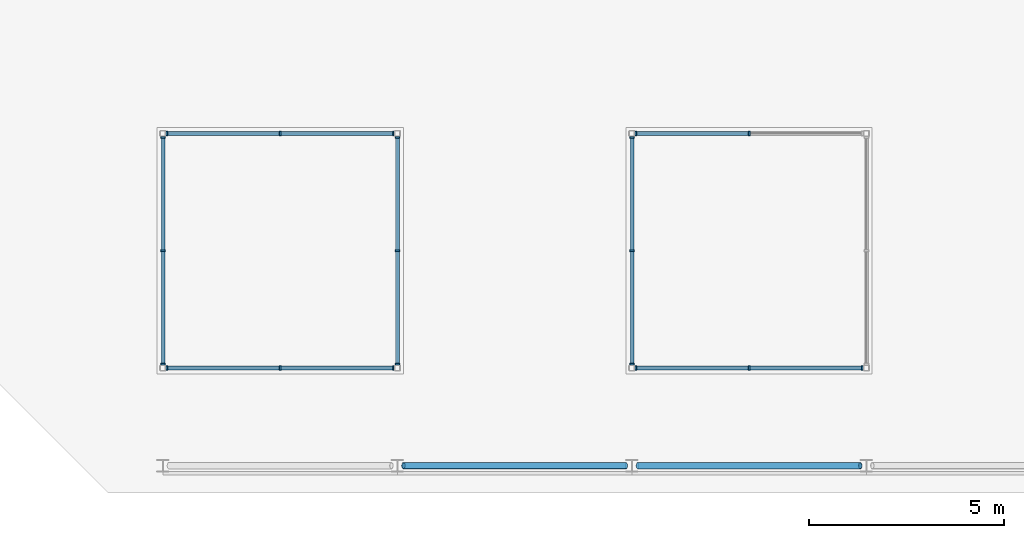
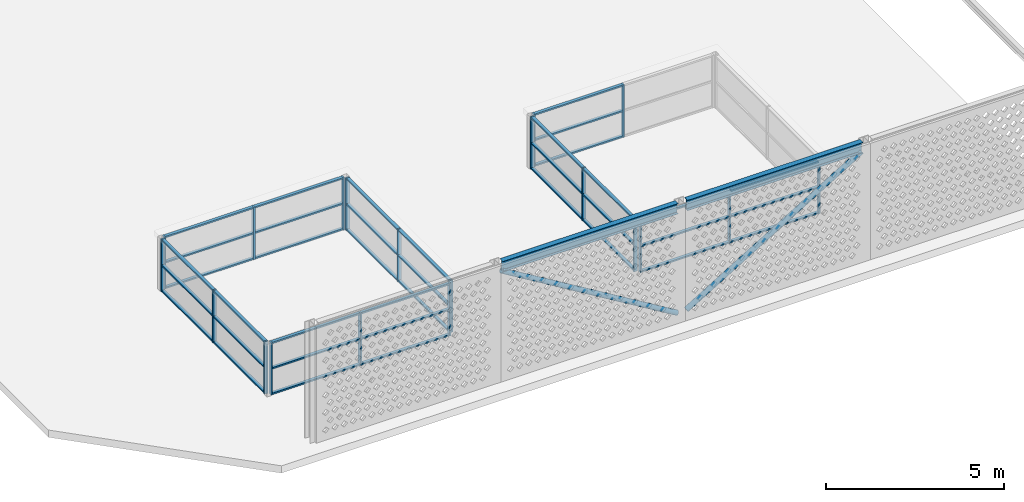
# One storey, part 5 of 10: 61 members, 2 beams, 7 elements without a shape of their own.
"""IFC4 building model written with IfcOpenShell, lengths in metres."""

from ifc_helpers import new_model, si_unit, direction, frame, origin, origin_2d, place, context, subcontext, project, spatial, rectangle, hollow_circle, i_section, extrude, source, transform, mapped, material, layer, layer_set, material_profile, profile_set, type_object, element, aggregate, save


model = new_model("IFC4")

# Units and contexts
model_context = context("Model", 3, precision=1e-05, world=origin(), true_north=direction((0.0, 1.0)))
body_context = subcontext(model_context, "Body", "Model", "MODEL_VIEW")
ifc_project = project(units=[si_unit("LENGTHUNIT", "METRE"), si_unit("AREAUNIT", "SQUARE_METRE"), si_unit("VOLUMEUNIT", "CUBIC_METRE"), si_unit("PLANEANGLEUNIT", "RADIAN"), si_unit("MASSUNIT", "GRAM", prefix="KILO")], contexts=[model_context])

# Site, building, storey
site_placement = place(None, origin())
site = spatial("IfcSite", under=ifc_project, at=site_placement, CompositionType="ELEMENT")
building_placement = place(site_placement, origin())
building = spatial("IfcBuilding", under=site, at=building_placement, Name="Poui Terraces", CompositionType="ELEMENT")
storey_placement = place(building_placement, frame((0.0, 0.0, 292.199951171875)))
storey = spatial("IfcBuildingStorey", under=building, at=storey_placement, Name="ROOF", CompositionType="ELEMENT", Elevation=292.199951171875)

# Curtain wall, members
ifc_material_1 = material(Name="Clear glass", Category="glass")
ifc_layer = layer(ifc_material_1, 0.1201171875)
ifc_layer_set = layer_set([ifc_layer], Name="Clear glass")
curtain_wall_type = type_object("IfcCurtainWallType", Name="CURTAIN WALL CW-F LANTERN GLAZING", PredefinedType="NOTDEFINED", material=ifc_layer_set)
curtain_wall_1_placement = place(storey_placement, origin())
curtain_wall_1 = element("IfcCurtainWall", 1, at=curtain_wall_1_placement, inside=storey, type_object=curtain_wall_type, Name="CW-F LANTERN GLAZING", PredefinedType="NOTDEFINED")
ifc_material_2 = material(Name="Aluminium frame", Category="aluminium")
ifc_material_profile_1 = material_profile(ifc_material_2, rectangle(XDim=0.1201171875, YDim=0.050048828125, at=origin_2d()), Name="CW-F MULLION 50X120")
ifc_profile_set_1 = profile_set([ifc_material_profile_1], Name="Aluminium frame")
member_type_1 = type_object("IfcMemberType", Name="CW-F MULLION 50X120", PredefinedType="MULLION", material=ifc_profile_set_1)
member_1_placement = place(storey_placement, frame((24.10009765625, 3.0, 0.0), z_axis=(0.0, 0.0, 1.0), x_axis=(0.0, 1.0, 0.0)))
member_1 = element("IfcMember", 2, at=member_1_placement, type_object=member_type_1, Name="CW-F mullion 1", PredefinedType="MULLION", context=body_context, shape_type="SweptSolid", body=[
    extrude(rectangle(XDim=0.1201171875, YDim=0.050048828125, at=origin_2d()), origin(), (0.0, 0.0, 1.0), 1.800048828125),
])
member_2_placement = place(storey_placement, frame((27.0, 3.0, 0.0), z_axis=(0.0, 0.0, 1.0), x_axis=(0.0, 1.0, 0.0)))
member_2 = element("IfcMember", 3, at=member_2_placement, type_object=member_type_1, Name="CW-F mullion 2", PredefinedType="MULLION", context=body_context, shape_type="SweptSolid", body=[
    extrude(rectangle(XDim=0.1201171875, YDim=0.050048828125, at=origin_2d()), origin(), (0.0, 0.0, 1.0), 1.800048828125),
])
member_3_placement = place(storey_placement, frame((29.89990234375, 3.0, 0.0), z_axis=(0.0, 0.0, 1.0), x_axis=(0.0, 1.0, 0.0)))
member_3 = element("IfcMember", 4, at=member_3_placement, type_object=member_type_1, Name="CW-F mullion 3", PredefinedType="MULLION", context=body_context, shape_type="SweptSolid", body=[
    extrude(rectangle(XDim=0.1201171875, YDim=0.050048828125, at=origin_2d()), origin(), (0.0, 0.0, 1.0), 1.800048828125),
])

curtain_wall_2_placement = place(storey_placement, origin())
curtain_wall_2 = element("IfcCurtainWall", 5, at=curtain_wall_2_placement, inside=storey, type_object=curtain_wall_type, Name="CW-F LANTERN GLAZING", PredefinedType="NOTDEFINED")
member_4_placement = place(storey_placement, frame((29.89990234375, 9.0, 0.0), z_axis=(0.0, 0.0, 1.0), x_axis=(0.0, -1.0, 0.0)))
member_4 = element("IfcMember", 6, at=member_4_placement, type_object=member_type_1, Name="CW-F mullion 1", PredefinedType="MULLION", context=body_context, shape_type="SweptSolid", body=[
    extrude(rectangle(XDim=0.1201171875, YDim=0.050048828125, at=origin_2d()), origin(), (0.0, 0.0, 1.0), 1.800048828125),
])
member_5_placement = place(storey_placement, frame((27.0, 9.0, 0.0), z_axis=(0.0, 0.0, 1.0), x_axis=(0.0, -1.0, 0.0)))
member_5 = element("IfcMember", 7, at=member_5_placement, type_object=member_type_1, Name="CW-F mullion 2", PredefinedType="MULLION", context=body_context, shape_type="SweptSolid", body=[
    extrude(rectangle(XDim=0.1201171875, YDim=0.050048828125, at=origin_2d()), origin(), (0.0, 0.0, 1.0), 1.800048828125),
])
member_6_placement = place(storey_placement, frame((24.10009765625, 9.0, 0.0), z_axis=(0.0, 0.0, 1.0), x_axis=(0.0, -1.0, 0.0)))
member_6 = element("IfcMember", 8, at=member_6_placement, type_object=member_type_1, Name="CW-F mullion 3", PredefinedType="MULLION", context=body_context, shape_type="SweptSolid", body=[
    extrude(rectangle(XDim=0.1201171875, YDim=0.050048828125, at=origin_2d()), origin(), (0.0, 0.0, 1.0), 1.800048828125),
])

curtain_wall_3_placement = place(storey_placement, origin())
curtain_wall_3 = element("IfcCurtainWall", 9, at=curtain_wall_3_placement, inside=storey, type_object=curtain_wall_type, Name="CW-F LANTERN GLAZING", PredefinedType="NOTDEFINED")
member_7_placement = place(storey_placement, frame((30.0, 3.10009765625, 0.0), z_axis=(0.0, 0.0, 1.0), x_axis=(-1.0, 0.0, 0.0)))
member_7 = element("IfcMember", 10, at=member_7_placement, type_object=member_type_1, Name="CW-F mullion 1", PredefinedType="MULLION", context=body_context, shape_type="SweptSolid", body=[
    extrude(rectangle(XDim=0.1201171875, YDim=0.050048828125, at=origin_2d()), origin(), (0.0, 0.0, 1.0), 1.800048828125),
])
member_8_placement = place(storey_placement, frame((30.0, 6.0, 0.0), z_axis=(0.0, 0.0, 1.0), x_axis=(-1.0, 0.0, 0.0)))
member_8 = element("IfcMember", 11, at=member_8_placement, type_object=member_type_1, Name="CW-F mullion 2", PredefinedType="MULLION", context=body_context, shape_type="SweptSolid", body=[
    extrude(rectangle(XDim=0.1201171875, YDim=0.050048828125, at=origin_2d()), origin(), (0.0, 0.0, 1.0), 1.800048828125),
])
member_9_placement = place(storey_placement, frame((30.0, 8.89990234375, 0.0), z_axis=(0.0, 0.0, 1.0), x_axis=(-1.0, 0.0, 0.0)))
member_9 = element("IfcMember", 12, at=member_9_placement, type_object=member_type_1, Name="CW-F mullion 3", PredefinedType="MULLION", context=body_context, shape_type="SweptSolid", body=[
    extrude(rectangle(XDim=0.1201171875, YDim=0.050048828125, at=origin_2d()), origin(), (0.0, 0.0, 1.0), 1.800048828125),
])

curtain_wall_4_placement = place(storey_placement, origin())
curtain_wall_4 = element("IfcCurtainWall", 13, at=curtain_wall_4_placement, inside=storey, type_object=curtain_wall_type, Name="CW-F LANTERN GLAZING", PredefinedType="NOTDEFINED")
member_10_placement = place(storey_placement, frame((24.0, 8.89990234375, 0.0), z_axis=(0.0, 0.0, 1.0), x_axis=(1.0, 0.0, 0.0)))
member_10 = element("IfcMember", 14, at=member_10_placement, type_object=member_type_1, Name="CW-F mullion 1", PredefinedType="MULLION", context=body_context, shape_type="SweptSolid", body=[
    extrude(rectangle(XDim=0.1201171875, YDim=0.050048828125, at=origin_2d()), origin(), (0.0, 0.0, 1.0), 1.800048828125),
])
member_11_placement = place(storey_placement, frame((24.0, 6.0, 0.0), z_axis=(0.0, 0.0, 1.0), x_axis=(1.0, 0.0, 0.0)))
member_11 = element("IfcMember", 15, at=member_11_placement, type_object=member_type_1, Name="CW-F mullion 2", PredefinedType="MULLION", context=body_context, shape_type="SweptSolid", body=[
    extrude(rectangle(XDim=0.1201171875, YDim=0.050048828125, at=origin_2d()), origin(), (0.0, 0.0, 1.0), 1.800048828125),
])
member_12_placement = place(storey_placement, frame((24.0, 3.10009765625, 0.0), z_axis=(0.0, 0.0, 1.0), x_axis=(1.0, 0.0, 0.0)))
member_12 = element("IfcMember", 16, at=member_12_placement, type_object=member_type_1, Name="CW-F mullion 3", PredefinedType="MULLION", context=body_context, shape_type="SweptSolid", body=[
    extrude(rectangle(XDim=0.1201171875, YDim=0.050048828125, at=origin_2d()), origin(), (0.0, 0.0, 1.0), 1.800048828125),
])

curtain_wall_5_placement = place(storey_placement, origin())
curtain_wall_5 = element("IfcCurtainWall", 17, at=curtain_wall_5_placement, inside=storey, type_object=curtain_wall_type, Name="CW-F LANTERN GLAZING", PredefinedType="NOTDEFINED")
member_13_placement = place(storey_placement, frame((36.10009765625, 3.0, 0.0), z_axis=(0.0, 0.0, 1.0), x_axis=(0.0, 1.0, 0.0)))
member_13 = element("IfcMember", 18, at=member_13_placement, type_object=member_type_1, Name="CW-F mullion 1", PredefinedType="MULLION", context=body_context, shape_type="SweptSolid", body=[
    extrude(rectangle(XDim=0.1201171875, YDim=0.050048828125, at=origin_2d()), origin(), (0.0, 0.0, 1.0), 1.800048828125),
])
member_14_placement = place(storey_placement, frame((39.0, 3.0, 0.0), z_axis=(0.0, 0.0, 1.0), x_axis=(0.0, 1.0, 0.0)))
member_14 = element("IfcMember", 19, at=member_14_placement, type_object=member_type_1, Name="CW-F mullion 2", PredefinedType="MULLION", context=body_context, shape_type="SweptSolid", body=[
    extrude(rectangle(XDim=0.1201171875, YDim=0.050048828125, at=origin_2d()), origin(), (0.0, 0.0, 1.0), 1.800048828125),
])
member_15_placement = place(storey_placement, frame((41.89990234375, 3.0, 0.0), z_axis=(0.0, 0.0, 1.0), x_axis=(0.0, 1.0, 0.0)))
member_15 = element("IfcMember", 20, at=member_15_placement, type_object=member_type_1, Name="CW-F mullion 3", PredefinedType="MULLION", context=body_context, shape_type="SweptSolid", body=[
    extrude(rectangle(XDim=0.1201171875, YDim=0.050048828125, at=origin_2d()), origin(), (0.0, 0.0, 1.0), 1.800048828125),
])

curtain_wall_6_placement = place(storey_placement, origin())
curtain_wall_6 = element("IfcCurtainWall", 21, at=curtain_wall_6_placement, inside=storey, type_object=curtain_wall_type, Name="CW-F LANTERN GLAZING", PredefinedType="NOTDEFINED")
member_16_placement = place(storey_placement, frame((39.0, 9.0, 0.0), z_axis=(0.0, 0.0, 1.0), x_axis=(0.0, -1.0, 0.0)))
member_16 = element("IfcMember", 22, at=member_16_placement, type_object=member_type_1, Name="CW-F mullion 2", PredefinedType="MULLION", context=body_context, shape_type="SweptSolid", body=[
    extrude(rectangle(XDim=0.1201171875, YDim=0.050048828125, at=origin_2d()), origin(), (0.0, 0.0, 1.0), 1.800048828125),
])
member_17_placement = place(storey_placement, frame((36.10009765625, 9.0, 0.0), z_axis=(0.0, 0.0, 1.0), x_axis=(0.0, -1.0, 0.0)))
member_17 = element("IfcMember", 23, at=member_17_placement, type_object=member_type_1, Name="CW-F mullion 3", PredefinedType="MULLION", context=body_context, shape_type="SweptSolid", body=[
    extrude(rectangle(XDim=0.1201171875, YDim=0.050048828125, at=origin_2d()), origin(), (0.0, 0.0, 1.0), 1.800048828125),
])

curtain_wall_7_placement = place(storey_placement, origin())
curtain_wall_7 = element("IfcCurtainWall", 24, at=curtain_wall_7_placement, inside=storey, type_object=curtain_wall_type, Name="CW-F LANTERN GLAZING", PredefinedType="NOTDEFINED")
member_18_placement = place(storey_placement, frame((36.0, 8.89990234375, 0.0), z_axis=(0.0, 0.0, 1.0), x_axis=(1.0, 0.0, 0.0)))
member_18 = element("IfcMember", 25, at=member_18_placement, type_object=member_type_1, Name="CW-F mullion 1", PredefinedType="MULLION", context=body_context, shape_type="SweptSolid", body=[
    extrude(rectangle(XDim=0.1201171875, YDim=0.050048828125, at=origin_2d()), origin(), (0.0, 0.0, 1.0), 1.800048828125),
])
member_19_placement = place(storey_placement, frame((36.0, 6.0, 0.0), z_axis=(0.0, 0.0, 1.0), x_axis=(1.0, 0.0, 0.0)))
member_19 = element("IfcMember", 26, at=member_19_placement, type_object=member_type_1, Name="CW-F mullion 2", PredefinedType="MULLION", context=body_context, shape_type="SweptSolid", body=[
    extrude(rectangle(XDim=0.1201171875, YDim=0.050048828125, at=origin_2d()), origin(), (0.0, 0.0, 1.0), 1.800048828125),
])
member_20_placement = place(storey_placement, frame((36.0, 3.10009765625, 0.0), z_axis=(0.0, 0.0, 1.0), x_axis=(1.0, 0.0, 0.0)))
member_20 = element("IfcMember", 27, at=member_20_placement, type_object=member_type_1, Name="CW-F mullion 3", PredefinedType="MULLION", context=body_context, shape_type="SweptSolid", body=[
    extrude(rectangle(XDim=0.1201171875, YDim=0.050048828125, at=origin_2d()), origin(), (0.0, 0.0, 1.0), 1.800048828125),
])

# Member
ifc_material_profile_2 = material_profile(ifc_material_2, rectangle(XDim=0.10009765625, YDim=0.050048828125, at=origin_2d()), Name="CW-F TRANSOM 50X100")
ifc_profile_set_2 = profile_set([ifc_material_profile_2], Name="Aluminium frame")
member_type_2 = type_object("IfcMemberType", Name="CW-F TRANSOM 50X100", PredefinedType="USERDEFINED", material=ifc_profile_set_2)
member_21_placement = place(storey_placement, frame((24.125, 3.0, 0.025146484375), z_axis=(1.0, 0.0, 0.0), x_axis=(0.0, 1.0, 0.0)))
member_21 = element("IfcMember", 28, at=member_21_placement, type_object=member_type_2, Name="CW-F transom 1.1", ObjectType="TRANSOM", PredefinedType="USERDEFINED", context=body_context, shape_type="SweptSolid", body=[
    extrude(rectangle(XDim=0.10009765625, YDim=0.050048828125, at=origin_2d()), origin(), (0.0, 0.0, 1.0), 2.85009765625),
])

member_22_placement = place(storey_placement, frame((24.125, 3.0, 0.900146484375), z_axis=(1.0, 0.0, 0.0), x_axis=(0.0, 1.0, 0.0)))
member_22 = element("IfcMember", 29, at=member_22_placement, type_object=member_type_2, Name="CW-F transom 1.2", ObjectType="TRANSOM", PredefinedType="USERDEFINED", context=body_context, shape_type="SweptSolid", body=[
    extrude(rectangle(XDim=0.10009765625, YDim=0.050048828125, at=origin_2d()), origin(), (0.0, 0.0, 1.0), 2.85009765625),
])

member_23_placement = place(storey_placement, frame((24.125, 3.0, 1.775146484375), z_axis=(1.0, 0.0, 0.0), x_axis=(0.0, 1.0, 0.0)))
member_23 = element("IfcMember", 30, at=member_23_placement, type_object=member_type_2, Name="CW-F transom 1.3", ObjectType="TRANSOM", PredefinedType="USERDEFINED", context=body_context, shape_type="SweptSolid", body=[
    extrude(rectangle(XDim=0.10009765625, YDim=0.050048828125, at=origin_2d()), origin(), (0.0, 0.0, 1.0), 2.85009765625),
])

member_24_placement = place(storey_placement, frame((27.02490234375, 3.0, 0.025146484375), z_axis=(1.0, 0.0, 0.0), x_axis=(0.0, 1.0, 0.0)))
member_24 = element("IfcMember", 31, at=member_24_placement, type_object=member_type_2, Name="CW-F transom 2.1", ObjectType="TRANSOM", PredefinedType="USERDEFINED", context=body_context, shape_type="SweptSolid", body=[
    extrude(rectangle(XDim=0.10009765625, YDim=0.050048828125, at=origin_2d()), origin(), (0.0, 0.0, 1.0), 2.85009765625),
])

member_25_placement = place(storey_placement, frame((27.02490234375, 3.0, 0.900146484375), z_axis=(1.0, 0.0, 0.0), x_axis=(0.0, 1.0, 0.0)))
member_25 = element("IfcMember", 32, at=member_25_placement, type_object=member_type_2, Name="CW-F transom 2.2", ObjectType="TRANSOM", PredefinedType="USERDEFINED", context=body_context, shape_type="SweptSolid", body=[
    extrude(rectangle(XDim=0.10009765625, YDim=0.050048828125, at=origin_2d()), origin(), (0.0, 0.0, 1.0), 2.85009765625),
])

member_26_placement = place(storey_placement, frame((27.02490234375, 3.0, 1.775146484375), z_axis=(1.0, 0.0, 0.0), x_axis=(0.0, 1.0, 0.0)))
member_26 = element("IfcMember", 33, at=member_26_placement, type_object=member_type_2, Name="CW-F transom 2.3", ObjectType="TRANSOM", PredefinedType="USERDEFINED", context=body_context, shape_type="SweptSolid", body=[
    extrude(rectangle(XDim=0.10009765625, YDim=0.050048828125, at=origin_2d()), origin(), (0.0, 0.0, 1.0), 2.85009765625),
])

aggregate(curtain_wall_1, [member_1, member_2, member_3, member_21, member_22, member_23, member_24, member_25, member_26])

member_27_placement = place(storey_placement, frame((29.875, 9.0, 0.025146484375), z_axis=(-1.0, 0.0, 0.0), x_axis=(0.0, -1.0, 0.0)))
member_27 = element("IfcMember", 34, at=member_27_placement, type_object=member_type_2, Name="CW-F transom 1.1", ObjectType="TRANSOM", PredefinedType="USERDEFINED", context=body_context, shape_type="SweptSolid", body=[
    extrude(rectangle(XDim=0.10009765625, YDim=0.050048828125, at=origin_2d()), origin(), (0.0, 0.0, 1.0), 2.85009765625),
])

member_28_placement = place(storey_placement, frame((29.875, 9.0, 0.900146484375), z_axis=(-1.0, 0.0, 0.0), x_axis=(0.0, -1.0, 0.0)))
member_28 = element("IfcMember", 35, at=member_28_placement, type_object=member_type_2, Name="CW-F transom 1.2", ObjectType="TRANSOM", PredefinedType="USERDEFINED", context=body_context, shape_type="SweptSolid", body=[
    extrude(rectangle(XDim=0.10009765625, YDim=0.050048828125, at=origin_2d()), origin(), (0.0, 0.0, 1.0), 2.85009765625),
])

member_29_placement = place(storey_placement, frame((29.875, 9.0, 1.775146484375), z_axis=(-1.0, 0.0, 0.0), x_axis=(0.0, -1.0, 0.0)))
member_29 = element("IfcMember", 36, at=member_29_placement, type_object=member_type_2, Name="CW-F transom 1.3", ObjectType="TRANSOM", PredefinedType="USERDEFINED", context=body_context, shape_type="SweptSolid", body=[
    extrude(rectangle(XDim=0.10009765625, YDim=0.050048828125, at=origin_2d()), origin(), (0.0, 0.0, 1.0), 2.85009765625),
])

member_30_placement = place(storey_placement, frame((26.97509765625, 9.0, 0.025146484375), z_axis=(-1.0, 0.0, 0.0), x_axis=(0.0, -1.0, 0.0)))
member_30 = element("IfcMember", 37, at=member_30_placement, type_object=member_type_2, Name="CW-F transom 2.1", ObjectType="TRANSOM", PredefinedType="USERDEFINED", context=body_context, shape_type="SweptSolid", body=[
    extrude(rectangle(XDim=0.10009765625, YDim=0.050048828125, at=origin_2d()), origin(), (0.0, 0.0, 1.0), 2.85009765625),
])

member_31_placement = place(storey_placement, frame((26.97509765625, 9.0, 0.900146484375), z_axis=(-1.0, 0.0, 0.0), x_axis=(0.0, -1.0, 0.0)))
member_31 = element("IfcMember", 38, at=member_31_placement, type_object=member_type_2, Name="CW-F transom 2.2", ObjectType="TRANSOM", PredefinedType="USERDEFINED", context=body_context, shape_type="SweptSolid", body=[
    extrude(rectangle(XDim=0.10009765625, YDim=0.050048828125, at=origin_2d()), origin(), (0.0, 0.0, 1.0), 2.85009765625),
])

member_32_placement = place(storey_placement, frame((26.97509765625, 9.0, 1.775146484375), z_axis=(-1.0, 0.0, 0.0), x_axis=(0.0, -1.0, 0.0)))
member_32 = element("IfcMember", 39, at=member_32_placement, type_object=member_type_2, Name="CW-F transom 2.3", ObjectType="TRANSOM", PredefinedType="USERDEFINED", context=body_context, shape_type="SweptSolid", body=[
    extrude(rectangle(XDim=0.10009765625, YDim=0.050048828125, at=origin_2d()), origin(), (0.0, 0.0, 1.0), 2.85009765625),
])

aggregate(curtain_wall_2, [member_4, member_5, member_6, member_27, member_28, member_29, member_30, member_31, member_32])

member_33_placement = place(storey_placement, frame((30.0, 3.125, 0.025146484375), z_axis=(0.0, 1.0, 0.0), x_axis=(-1.0, 0.0, 0.0)))
member_33 = element("IfcMember", 40, at=member_33_placement, type_object=member_type_2, Name="CW-F transom 1.1", ObjectType="TRANSOM", PredefinedType="USERDEFINED", context=body_context, shape_type="SweptSolid", body=[
    extrude(rectangle(XDim=0.10009765625, YDim=0.050048828125, at=origin_2d()), origin(), (0.0, 0.0, 1.0), 2.85009765625),
])

member_34_placement = place(storey_placement, frame((30.0, 3.125, 0.900146484375), z_axis=(0.0, 1.0, 0.0), x_axis=(-1.0, 0.0, 0.0)))
member_34 = element("IfcMember", 41, at=member_34_placement, type_object=member_type_2, Name="CW-F transom 1.2", ObjectType="TRANSOM", PredefinedType="USERDEFINED", context=body_context, shape_type="SweptSolid", body=[
    extrude(rectangle(XDim=0.10009765625, YDim=0.050048828125, at=origin_2d()), origin(), (0.0, 0.0, 1.0), 2.85009765625),
])

member_35_placement = place(storey_placement, frame((30.0, 3.125, 1.775146484375), z_axis=(0.0, 1.0, 0.0), x_axis=(-1.0, 0.0, 0.0)))
member_35 = element("IfcMember", 42, at=member_35_placement, type_object=member_type_2, Name="CW-F transom 1.3", ObjectType="TRANSOM", PredefinedType="USERDEFINED", context=body_context, shape_type="SweptSolid", body=[
    extrude(rectangle(XDim=0.10009765625, YDim=0.050048828125, at=origin_2d()), origin(), (0.0, 0.0, 1.0), 2.85009765625),
])

member_36_placement = place(storey_placement, frame((30.0, 6.02490234375, 0.025146484375), z_axis=(0.0, 1.0, 0.0), x_axis=(-1.0, 0.0, 0.0)))
member_36 = element("IfcMember", 43, at=member_36_placement, type_object=member_type_2, Name="CW-F transom 2.1", ObjectType="TRANSOM", PredefinedType="USERDEFINED", context=body_context, shape_type="SweptSolid", body=[
    extrude(rectangle(XDim=0.10009765625, YDim=0.050048828125, at=origin_2d()), origin(), (0.0, 0.0, 1.0), 2.85009765625),
])

member_37_placement = place(storey_placement, frame((30.0, 6.02490234375, 0.900146484375), z_axis=(0.0, 1.0, 0.0), x_axis=(-1.0, 0.0, 0.0)))
member_37 = element("IfcMember", 44, at=member_37_placement, type_object=member_type_2, Name="CW-F transom 2.2", ObjectType="TRANSOM", PredefinedType="USERDEFINED", context=body_context, shape_type="SweptSolid", body=[
    extrude(rectangle(XDim=0.10009765625, YDim=0.050048828125, at=origin_2d()), origin(), (0.0, 0.0, 1.0), 2.85009765625),
])

member_38_placement = place(storey_placement, frame((30.0, 6.02490234375, 1.775146484375), z_axis=(0.0, 1.0, 0.0), x_axis=(-1.0, 0.0, 0.0)))
member_38 = element("IfcMember", 45, at=member_38_placement, type_object=member_type_2, Name="CW-F transom 2.3", ObjectType="TRANSOM", PredefinedType="USERDEFINED", context=body_context, shape_type="SweptSolid", body=[
    extrude(rectangle(XDim=0.10009765625, YDim=0.050048828125, at=origin_2d()), origin(), (0.0, 0.0, 1.0), 2.85009765625),
])

aggregate(curtain_wall_3, [member_7, member_8, member_9, member_33, member_34, member_35, member_36, member_37, member_38])

member_39_placement = place(storey_placement, frame((24.0, 8.875, 0.025146484375), z_axis=(0.0, -1.0, 0.0), x_axis=(1.0, 0.0, 0.0)))
member_39 = element("IfcMember", 46, at=member_39_placement, type_object=member_type_2, Name="CW-F transom 1.1", ObjectType="TRANSOM", PredefinedType="USERDEFINED", context=body_context, shape_type="SweptSolid", body=[
    extrude(rectangle(XDim=0.10009765625, YDim=0.050048828125, at=origin_2d()), origin(), (0.0, 0.0, 1.0), 2.85009765625),
])

member_40_placement = place(storey_placement, frame((24.0, 8.875, 0.900146484375), z_axis=(0.0, -1.0, 0.0), x_axis=(1.0, 0.0, 0.0)))
member_40 = element("IfcMember", 47, at=member_40_placement, type_object=member_type_2, Name="CW-F transom 1.2", ObjectType="TRANSOM", PredefinedType="USERDEFINED", context=body_context, shape_type="SweptSolid", body=[
    extrude(rectangle(XDim=0.10009765625, YDim=0.050048828125, at=origin_2d()), origin(), (0.0, 0.0, 1.0), 2.85009765625),
])

member_41_placement = place(storey_placement, frame((24.0, 8.875, 1.775146484375), z_axis=(0.0, -1.0, 0.0), x_axis=(1.0, 0.0, 0.0)))
member_41 = element("IfcMember", 48, at=member_41_placement, type_object=member_type_2, Name="CW-F transom 1.3", ObjectType="TRANSOM", PredefinedType="USERDEFINED", context=body_context, shape_type="SweptSolid", body=[
    extrude(rectangle(XDim=0.10009765625, YDim=0.050048828125, at=origin_2d()), origin(), (0.0, 0.0, 1.0), 2.85009765625),
])

member_42_placement = place(storey_placement, frame((24.0, 5.97509765625, 0.025146484375), z_axis=(0.0, -1.0, 0.0), x_axis=(1.0, 0.0, 0.0)))
member_42 = element("IfcMember", 49, at=member_42_placement, type_object=member_type_2, Name="CW-F transom 2.1", ObjectType="TRANSOM", PredefinedType="USERDEFINED", context=body_context, shape_type="SweptSolid", body=[
    extrude(rectangle(XDim=0.10009765625, YDim=0.050048828125, at=origin_2d()), origin(), (0.0, 0.0, 1.0), 2.85009765625),
])

member_43_placement = place(storey_placement, frame((24.0, 5.97509765625, 0.900146484375), z_axis=(0.0, -1.0, 0.0), x_axis=(1.0, 0.0, 0.0)))
member_43 = element("IfcMember", 50, at=member_43_placement, type_object=member_type_2, Name="CW-F transom 2.2", ObjectType="TRANSOM", PredefinedType="USERDEFINED", context=body_context, shape_type="SweptSolid", body=[
    extrude(rectangle(XDim=0.10009765625, YDim=0.050048828125, at=origin_2d()), origin(), (0.0, 0.0, 1.0), 2.85009765625),
])

member_44_placement = place(storey_placement, frame((24.0, 5.97509765625, 1.775146484375), z_axis=(0.0, -1.0, 0.0), x_axis=(1.0, 0.0, 0.0)))
member_44 = element("IfcMember", 51, at=member_44_placement, type_object=member_type_2, Name="CW-F transom 2.3", ObjectType="TRANSOM", PredefinedType="USERDEFINED", context=body_context, shape_type="SweptSolid", body=[
    extrude(rectangle(XDim=0.10009765625, YDim=0.050048828125, at=origin_2d()), origin(), (0.0, 0.0, 1.0), 2.85009765625),
])

aggregate(curtain_wall_4, [member_10, member_11, member_12, member_39, member_40, member_41, member_42, member_43, member_44])

member_45_placement = place(storey_placement, frame((36.125, 3.0, 0.025146484375), z_axis=(1.0, 0.0, 0.0), x_axis=(0.0, 1.0, 0.0)))
member_45 = element("IfcMember", 52, at=member_45_placement, type_object=member_type_2, Name="CW-F transom 1.1", ObjectType="TRANSOM", PredefinedType="USERDEFINED", context=body_context, shape_type="SweptSolid", body=[
    extrude(rectangle(XDim=0.10009765625, YDim=0.050048828125, at=origin_2d()), origin(), (0.0, 0.0, 1.0), 2.85009765625),
])

member_46_placement = place(storey_placement, frame((36.125, 3.0, 0.900146484375), z_axis=(1.0, 0.0, 0.0), x_axis=(0.0, 1.0, 0.0)))
member_46 = element("IfcMember", 53, at=member_46_placement, type_object=member_type_2, Name="CW-F transom 1.2", ObjectType="TRANSOM", PredefinedType="USERDEFINED", context=body_context, shape_type="SweptSolid", body=[
    extrude(rectangle(XDim=0.10009765625, YDim=0.050048828125, at=origin_2d()), origin(), (0.0, 0.0, 1.0), 2.85009765625),
])

member_47_placement = place(storey_placement, frame((36.125, 3.0, 1.775146484375), z_axis=(1.0, 0.0, 0.0), x_axis=(0.0, 1.0, 0.0)))
member_47 = element("IfcMember", 54, at=member_47_placement, type_object=member_type_2, Name="CW-F transom 1.3", ObjectType="TRANSOM", PredefinedType="USERDEFINED", context=body_context, shape_type="SweptSolid", body=[
    extrude(rectangle(XDim=0.10009765625, YDim=0.050048828125, at=origin_2d()), origin(), (0.0, 0.0, 1.0), 2.85009765625),
])

member_48_placement = place(storey_placement, frame((39.02490234375, 3.0, 0.025146484375), z_axis=(1.0, 0.0, 0.0), x_axis=(0.0, 1.0, 0.0)))
member_48 = element("IfcMember", 55, at=member_48_placement, type_object=member_type_2, Name="CW-F transom 2.1", ObjectType="TRANSOM", PredefinedType="USERDEFINED", context=body_context, shape_type="SweptSolid", body=[
    extrude(rectangle(XDim=0.10009765625, YDim=0.050048828125, at=origin_2d()), origin(), (0.0, 0.0, 1.0), 2.85009765625),
])

member_49_placement = place(storey_placement, frame((39.02490234375, 3.0, 0.900146484375), z_axis=(1.0, 0.0, 0.0), x_axis=(0.0, 1.0, 0.0)))
member_49 = element("IfcMember", 56, at=member_49_placement, type_object=member_type_2, Name="CW-F transom 2.2", ObjectType="TRANSOM", PredefinedType="USERDEFINED", context=body_context, shape_type="SweptSolid", body=[
    extrude(rectangle(XDim=0.10009765625, YDim=0.050048828125, at=origin_2d()), origin(), (0.0, 0.0, 1.0), 2.85009765625),
])

member_50_placement = place(storey_placement, frame((39.02490234375, 3.0, 1.775146484375), z_axis=(1.0, 0.0, 0.0), x_axis=(0.0, 1.0, 0.0)))
member_50 = element("IfcMember", 57, at=member_50_placement, type_object=member_type_2, Name="CW-F transom 2.3", ObjectType="TRANSOM", PredefinedType="USERDEFINED", context=body_context, shape_type="SweptSolid", body=[
    extrude(rectangle(XDim=0.10009765625, YDim=0.050048828125, at=origin_2d()), origin(), (0.0, 0.0, 1.0), 2.85009765625),
])

aggregate(curtain_wall_5, [member_13, member_14, member_15, member_45, member_46, member_47, member_48, member_49, member_50])

member_51_placement = place(storey_placement, frame((38.97509765625, 9.0, 0.025146484375), z_axis=(-1.0, 0.0, 0.0), x_axis=(0.0, -1.0, 0.0)))
member_51 = element("IfcMember", 58, at=member_51_placement, type_object=member_type_2, Name="CW-F transom 2.1", ObjectType="TRANSOM", PredefinedType="USERDEFINED", context=body_context, shape_type="SweptSolid", body=[
    extrude(rectangle(XDim=0.10009765625, YDim=0.050048828125, at=origin_2d()), origin(), (0.0, 0.0, 1.0), 2.85009765625),
])

member_52_placement = place(storey_placement, frame((38.97509765625, 9.0, 0.900146484375), z_axis=(-1.0, 0.0, 0.0), x_axis=(0.0, -1.0, 0.0)))
member_52 = element("IfcMember", 59, at=member_52_placement, type_object=member_type_2, Name="CW-F transom 2.2", ObjectType="TRANSOM", PredefinedType="USERDEFINED", context=body_context, shape_type="SweptSolid", body=[
    extrude(rectangle(XDim=0.10009765625, YDim=0.050048828125, at=origin_2d()), origin(), (0.0, 0.0, 1.0), 2.85009765625),
])

member_53_placement = place(storey_placement, frame((38.97509765625, 9.0, 1.775146484375), z_axis=(-1.0, 0.0, 0.0), x_axis=(0.0, -1.0, 0.0)))
member_53 = element("IfcMember", 60, at=member_53_placement, type_object=member_type_2, Name="CW-F transom 2.3", ObjectType="TRANSOM", PredefinedType="USERDEFINED", context=body_context, shape_type="SweptSolid", body=[
    extrude(rectangle(XDim=0.10009765625, YDim=0.050048828125, at=origin_2d()), origin(), (0.0, 0.0, 1.0), 2.85009765625),
])

aggregate(curtain_wall_6, [member_16, member_17, member_51, member_52, member_53])

member_54_placement = place(storey_placement, frame((36.0, 8.875, 0.025146484375), z_axis=(0.0, -1.0, 0.0), x_axis=(1.0, 0.0, 0.0)))
member_54 = element("IfcMember", 61, at=member_54_placement, type_object=member_type_2, Name="CW-F transom 1.1", ObjectType="TRANSOM", PredefinedType="USERDEFINED", context=body_context, shape_type="SweptSolid", body=[
    extrude(rectangle(XDim=0.10009765625, YDim=0.050048828125, at=origin_2d()), origin(), (0.0, 0.0, 1.0), 2.85009765625),
])

member_55_placement = place(storey_placement, frame((36.0, 8.875, 0.900146484375), z_axis=(0.0, -1.0, 0.0), x_axis=(1.0, 0.0, 0.0)))
member_55 = element("IfcMember", 62, at=member_55_placement, type_object=member_type_2, Name="CW-F transom 1.2", ObjectType="TRANSOM", PredefinedType="USERDEFINED", context=body_context, shape_type="SweptSolid", body=[
    extrude(rectangle(XDim=0.10009765625, YDim=0.050048828125, at=origin_2d()), origin(), (0.0, 0.0, 1.0), 2.85009765625),
])

member_56_placement = place(storey_placement, frame((36.0, 8.875, 1.775146484375), z_axis=(0.0, -1.0, 0.0), x_axis=(1.0, 0.0, 0.0)))
member_56 = element("IfcMember", 63, at=member_56_placement, type_object=member_type_2, Name="CW-F transom 1.3", ObjectType="TRANSOM", PredefinedType="USERDEFINED", context=body_context, shape_type="SweptSolid", body=[
    extrude(rectangle(XDim=0.10009765625, YDim=0.050048828125, at=origin_2d()), origin(), (0.0, 0.0, 1.0), 2.85009765625),
])

member_57_placement = place(storey_placement, frame((36.0, 5.97509765625, 0.025146484375), z_axis=(0.0, -1.0, 0.0), x_axis=(1.0, 0.0, 0.0)))
member_57 = element("IfcMember", 64, at=member_57_placement, type_object=member_type_2, Name="CW-F transom 2.1", ObjectType="TRANSOM", PredefinedType="USERDEFINED", context=body_context, shape_type="SweptSolid", body=[
    extrude(rectangle(XDim=0.10009765625, YDim=0.050048828125, at=origin_2d()), origin(), (0.0, 0.0, 1.0), 2.85009765625),
])

member_58_placement = place(storey_placement, frame((36.0, 5.97509765625, 0.900146484375), z_axis=(0.0, -1.0, 0.0), x_axis=(1.0, 0.0, 0.0)))
member_58 = element("IfcMember", 65, at=member_58_placement, type_object=member_type_2, Name="CW-F transom 2.2", ObjectType="TRANSOM", PredefinedType="USERDEFINED", context=body_context, shape_type="SweptSolid", body=[
    extrude(rectangle(XDim=0.10009765625, YDim=0.050048828125, at=origin_2d()), origin(), (0.0, 0.0, 1.0), 2.85009765625),
])

member_59_placement = place(storey_placement, frame((36.0, 5.97509765625, 1.775146484375), z_axis=(0.0, -1.0, 0.0), x_axis=(1.0, 0.0, 0.0)))
member_59 = element("IfcMember", 66, at=member_59_placement, type_object=member_type_2, Name="CW-F transom 2.3", ObjectType="TRANSOM", PredefinedType="USERDEFINED", context=body_context, shape_type="SweptSolid", body=[
    extrude(rectangle(XDim=0.10009765625, YDim=0.050048828125, at=origin_2d()), origin(), (0.0, 0.0, 1.0), 2.85009765625),
])

aggregate(curtain_wall_7, [member_18, member_19, member_20, member_54, member_55, member_56, member_57, member_58, member_59])

# Members
ifc_material_3 = material(Name="Steel Grade 350 MPa", Category="steel")
ifc_material_profile_3 = material_profile(ifc_material_3, hollow_circle(Radius=0.084228515625, WallThickness=0.007080078125, at=origin_2d()), Name="168.3x7.1 CHS")
ifc_profile_set_3 = profile_set([ifc_material_profile_3], Name="Steel Grade 350 MPa")
member_type_3 = type_object("IfcMemberType", Name="SCREEN FRAME BRACE 168.3x7.1 CHS", PredefinedType="BRACE", material=ifc_profile_set_3)
for number, where, z_axis, x_axis, name in (
    (67, (35.846435546875, 0.5, 0.199951171875), (-0.855784886129, 0.0, 0.51733183613), (0.0, -1.0, 0.0), "SCREEN FRAME BRACE S2"),
    (68, (36.153564453125, 0.5, 0.199951171875), (0.855784886129, 0.0, 0.51733183613), (0.0, 1.0, 0.0), "SCREEN FRAME BRACE S3"),
):
    element("IfcMember", number, at=place(storey_placement, frame(where, z_axis=z_axis, x_axis=x_axis)), inside=storey, type_object=member_type_3, Name=name, PredefinedType="BRACE", context=body_context, shape_type="SweptSolid", body=[
        extrude(hollow_circle(Radius=0.084228515625, WallThickness=0.007080078125, at=origin_2d()), origin(), (0.0, 0.0, 1.0), 6.65234375),
    ])

# Beams
ifc_material_4 = material(Name="Steel Grade 300 MPa", Category="steel")
ifc_material_profile_4 = material_profile(ifc_material_4, i_section(OverallWidth=0.172119140625, OverallDepth=0.358642578125, WebThickness=0.008056640625, FlangeThickness=0.012939453125, FilletRadius=0.011474609375, at=origin_2d()), Name="360UB56.7")
ifc_profile_set_4 = profile_set([ifc_material_profile_4], Name="Steel Grade 300 MPa")
beam_type = type_object("IfcBeamType", Name="SCREEN FRAME EDGE BEAM 360UB56.7", PredefinedType="BEAM", material=ifc_profile_set_4)
shared_shape = source(origin(), body_context, "Body", "SweptSolid", [
    extrude(i_section(OverallWidth=0.172119140625, OverallDepth=0.358642578125, WebThickness=0.008056640625, FlangeThickness=0.012939453125, FilletRadius=0.011474609375, at=origin_2d()), origin(), (0.0, 0.0, 1.0), 5.69287109375),
])
for number, where, z_axis, x_axis, name in (
    (69, (30.153564453125, 0.5, 3.82080078125), (1.0, 0.0, 0.0), (0.0, 1.0, 0.0), "SCREEN FRAME EDGE BEAM S2"),
    (70, (36.153564453125, 0.5, 3.82080078125), (1.0, 0.0, 0.0), (0.0, 1.0, 0.0), "SCREEN FRAME EDGE BEAM S3"),
):
    element("IfcBeam", number, at=place(storey_placement, frame(where, z_axis=z_axis, x_axis=x_axis)), inside=storey, type_object=beam_type, Name=name, PredefinedType="BEAM", context=body_context, shape_type="MappedRepresentation", body=[
        mapped(shared_shape, transform((0.0, 0.0, 0.0))),
    ])

save(model, "model.ifc")
